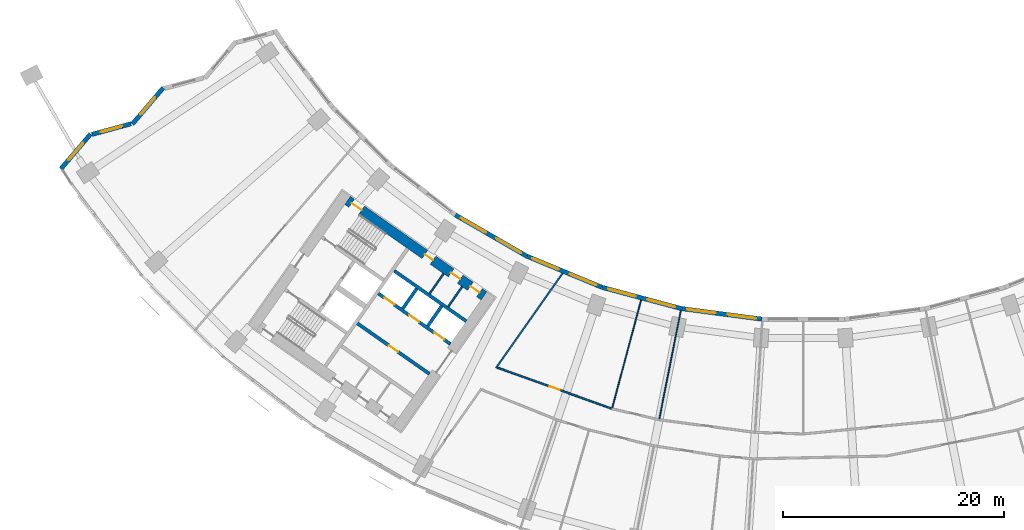
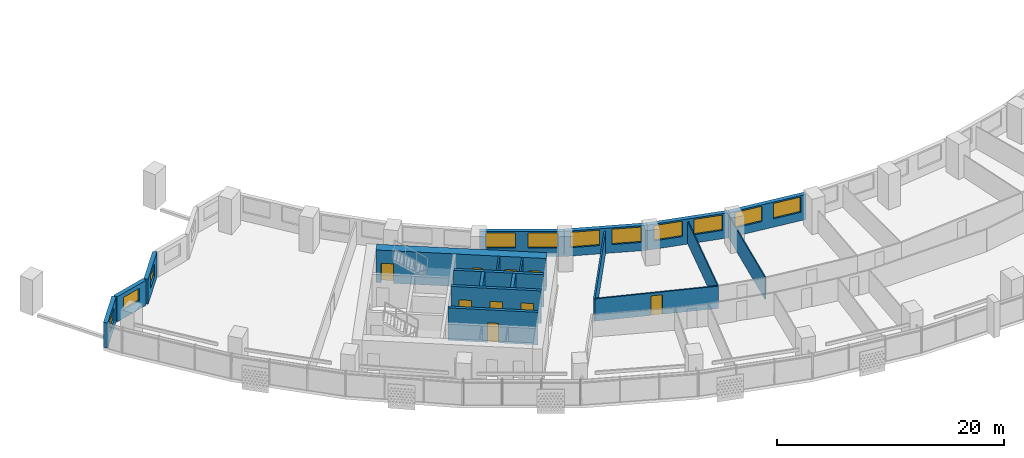
# One storey, part 4 of 29: 19 walls, 11 windows, 9 doors, 20 openings.
"""IFC4 building model written with IfcOpenShell, lengths in metres."""

import ifcopenshell
import ifcopenshell.guid

model = None  # the IFC model being written
_history = None  # IfcOwnerHistory: only IFC2X3 demands one
_inside = {}  # id of a spatial element -> (the spatial element, [elements in it])
_under = {}  # id of a project, library or spatial element -> (it, [spatial elements below it])
_declared = {}  # id of a project -> (the project, [libraries it declares])
_typed = {}  # id of a type object -> (the type object, [elements of that type])
_made_of = {}  # id of a material, layer set ... -> (it, [elements and type objects made of it])


def new_model(schema):
    """Start an empty IFC model of exactly this schema.

    Asked for "IFC4X3", IfcOpenShell would pick the latest addendum, in which some entities
    have other attributes; the version numbers below select the first issue.
    IFC2X3 requires an IfcOwnerHistory on every rooted entity: one is made here for all.
    """
    global model, _history
    if schema == "IFC4X3":
        model = ifcopenshell.file(schema_version=(4, 3, 0, 0))
    else:
        model = ifcopenshell.file(schema=schema)
    _inside.clear()
    _under.clear()
    _declared.clear()
    _typed.clear()
    _made_of.clear()
    _history = None
    if model.schema == "IFC2X3":
        org = make("IfcOrganization", Name="unknown")
        user = make(
            "IfcPersonAndOrganization",
            ThePerson=make("IfcPerson", FamilyName="unknown"),
            TheOrganization=org,
        )
        app = make(
            "IfcApplication",
            ApplicationDeveloper=org,
            Version="unknown",
            ApplicationFullName="unknown",
            ApplicationIdentifier="unknown",
        )
        _history = make(
            "IfcOwnerHistory",
            OwningUser=user,
            OwningApplication=app,
            ChangeAction="ADDED",
            CreationDate=0,
        )
    return model


def make(cls, **values):
    """One entity of the class cls with the attributes given. An attribute that is None is left unset."""
    return model.create_entity(
        cls, **{name: value for name, value in values.items() if value is not None}
    )


def rooted(cls, **values):
    """An entity with a GlobalId (a new one), such as an element, a storey or a relation."""
    return make(cls, GlobalId=ifcopenshell.guid.new(), OwnerHistory=_history, **values)


def si_unit(unit_type, name, prefix=None):
    """IfcSIUnit, for example si_unit("LENGTHUNIT", "METRE", prefix="MILLI")."""
    return make("IfcSIUnit", UnitType=unit_type, Prefix=prefix, Name=name)


def assignment(units):
    """IfcUnitAssignment: the units of a project."""
    return None if units is None else make("IfcUnitAssignment", Units=units)


def point(xyz):
    """IfcCartesianPoint."""
    return None if xyz is None else make("IfcCartesianPoint", Coordinates=xyz)


def direction(xyz):
    """IfcDirection."""
    return None if xyz is None else make("IfcDirection", DirectionRatios=xyz)


def frame(location, z_axis=None, x_axis=None):
    """IfcAxis2Placement3D, a coordinate frame: its origin and axes. An axis left out is left unset."""
    return make(
        "IfcAxis2Placement3D",
        Location=point(location),
        Axis=direction(z_axis),
        RefDirection=direction(x_axis),
    )


def frame_2d(location, x_axis=None):
    """IfcAxis2Placement2D, a coordinate frame in the plane: its origin and x axis."""
    return make(
        "IfcAxis2Placement2D", Location=point(location), RefDirection=direction(x_axis)
    )


def origin():
    """The frame at (0, 0, 0) with its axes left unset."""
    return frame((0.0, 0.0, 0.0))


def place(relative_to, where):
    """IfcLocalPlacement: puts the frame where relative to a parent placement (None: the world)."""
    return make(
        "IfcLocalPlacement", PlacementRelTo=relative_to, RelativePlacement=where
    )


def context(
    kind, dimensions, precision=None, world=None, true_north=None, identifier=None
):
    """IfcGeometricRepresentationContext, for example the 3D "Model" context."""
    return make(
        "IfcGeometricRepresentationContext",
        ContextIdentifier=identifier,
        ContextType=kind,
        CoordinateSpaceDimension=dimensions,
        Precision=precision,
        WorldCoordinateSystem=world,
        TrueNorth=true_north,
    )


def subcontext(parent, identifier, kind, view, scale=None):
    """IfcGeometricRepresentationSubContext, for example "Body" below "Model"."""
    return make(
        "IfcGeometricRepresentationSubContext",
        ContextIdentifier=identifier,
        ContextType=kind,
        ParentContext=parent,
        TargetScale=scale,
        TargetView=view,
    )


def project(units=None, contexts=None):
    """IfcProject with its units and contexts."""
    return rooted(
        "IfcProject",
        Name="project",
        RepresentationContexts=contexts,
        UnitsInContext=assignment(units),
    )


def spatial(cls, under=None, at=None, **own):
    """A site, building, storey or space (cls), placed at a placement, below another one or the project."""
    s = rooted(cls, ObjectPlacement=at, **own)
    if under is not None:
        _under.setdefault(under.id(), (under, []))[1].append(s)
    return s


def profile(cls, at=None, kind="AREA", **sizes):
    """A parametric profile (cls). Its sizes go by their IFC names, for example OverallWidth=200.0."""
    return make(cls, ProfileType=kind, Position=at, **sizes)


def rectangle(**sizes):
    """IfcRectangleProfileDef."""
    return profile("IfcRectangleProfileDef", **sizes)


def extrude(swept, where, along, depth):
    """IfcExtrudedAreaSolid: the profile swept, set in the frame where, extruded along a direction by depth."""
    return make(
        "IfcExtrudedAreaSolid",
        SweptArea=swept,
        Position=where,
        ExtrudedDirection=direction(along),
        Depth=depth,
    )


def shape(context_of_items, identifier, shape_type, items):
    """IfcShapeRepresentation: the items that make up one representation, for example the "Body"."""
    return make(
        "IfcShapeRepresentation",
        ContextOfItems=context_of_items,
        RepresentationIdentifier=identifier,
        RepresentationType=shape_type,
        Items=items,
    )


def material(Name=None, Category=None):
    """IfcMaterial."""
    return make("IfcMaterial", Name=Name, Category=Category)


def layer(
    of_material, thickness, ventilated=None, Name=None, Category=None, Priority=None
):
    """IfcMaterialLayer: one layer of a wall or slab, of a material (None: an air gap)."""
    return make(
        "IfcMaterialLayer",
        Material=of_material,
        LayerThickness=thickness,
        IsVentilated=ventilated,
        Name=Name,
        Category=Category,
        Priority=Priority,
    )


def layer_set(layers, Name=None):
    """IfcMaterialLayerSet."""
    return make("IfcMaterialLayerSet", MaterialLayers=layers, LayerSetName=Name)


def made_of(thing, what):
    """Note that an element or type object is made of a material, layer set ...; save() writes the relation."""
    if what is not None:
        _made_of.setdefault(what.id(), (what, []))[1].append(thing)
    return thing


def type_object(cls, material=None, **own):
    """A type object (cls), such as IfcWallType, which elements share."""
    return made_of(rooted(cls, **own), material)


def element(
    cls,
    number,
    at=None,
    inside=None,
    cuts=None,
    type_object=None,
    material=None,
    context=None,
    identifier="Body",
    shape_type=None,
    held_by="IfcProductDefinitionShape",
    body=None,
    shapes=None,
    **own,
):
    """One element of the class cls, such as IfcWall. Its Tag is "e" and its number.

    at: its placement. inside: the storey or other place that contains it. cuts: it is an
    opening in that element (IfcRelVoidsElement). A single representation is given by context,
    identifier, shape_type and body (its items); several are given by shapes. held_by: the class
    of the entity that holds the representations. save() writes the other relations.
    """
    e = rooted(cls, Tag="e%d" % number, ObjectPlacement=at, **own)
    if body is not None:
        shapes = [shape(context, identifier, shape_type, body)]
    if shapes is not None:
        e.Representation = make(held_by, Representations=shapes)
    if inside is not None:
        _inside.setdefault(inside.id(), (inside, []))[1].append(e)
    if cuts is not None:
        rooted(
            "IfcRelVoidsElement", RelatingBuildingElement=cuts, RelatedOpeningElement=e
        )
    if type_object is not None:
        _typed.setdefault(type_object.id(), (type_object, []))[1].append(e)
    return made_of(e, material)


def fill(opening, filler):
    """IfcRelFillsElement: the door or window that sits in an opening."""
    return rooted(
        "IfcRelFillsElement",
        RelatingOpeningElement=opening,
        RelatedBuildingElement=filler,
    )


def aggregate(whole, parts):
    """IfcRelAggregates: a whole, such as a stair, and the parts it consists of."""
    return rooted("IfcRelAggregates", RelatingObject=whole, RelatedObjects=parts)


def save(model, path):
    """Write the relations noted so far, then the file.

    IfcRelAggregates (storeys below a building ...), IfcRelContainedInSpatialStructure (elements
    in a storey), IfcRelDefinesByType, IfcRelAssociatesMaterial and IfcRelDeclares: one each for
    every whole, place, type object, material and project.
    """
    for whole, parts in _under.values():
        aggregate(whole, parts)
    for where, things in _inside.values():
        rooted(
            "IfcRelContainedInSpatialStructure",
            RelatedElements=things,
            RelatingStructure=where,
        )
    for kind, things in _typed.values():
        rooted("IfcRelDefinesByType", RelatedObjects=things, RelatingType=kind)
    for what, things in _made_of.values():
        rooted("IfcRelAssociatesMaterial", RelatedObjects=things, RelatingMaterial=what)
    for by, libraries in _declared.values():
        rooted("IfcRelDeclares", RelatingContext=by, RelatedDefinitions=libraries)
    model.write(path)


model = new_model("IFC4")

# Units and contexts
model_context = context("Model", 3, precision=1e-05, world=origin(), true_north=direction((0.0, 1.0)))
body_context = subcontext(model_context, "Body", "Model", "MODEL_VIEW")
ifc_project = project(units=[si_unit("LENGTHUNIT", "METRE"), si_unit("AREAUNIT", "SQUARE_METRE"), si_unit("VOLUMEUNIT", "CUBIC_METRE"), si_unit("PLANEANGLEUNIT", "RADIAN"), si_unit("MASSUNIT", "GRAM", prefix="KILO")], contexts=[model_context])

# Site, building, storey
site_placement = place(None, origin())
site = spatial("IfcSite", under=ifc_project, at=site_placement, CompositionType="ELEMENT")
building_placement = place(site_placement, origin())
building = spatial("IfcBuilding", under=site, at=building_placement, Name="Qamariyya Broadcast Tower", CompositionType="ELEMENT")
storey_placement = place(building_placement, frame((0.0, 0.0, 44.300048828125)))
storey = spatial("IfcBuildingStorey", under=building, at=storey_placement, Name="L07", CompositionType="ELEMENT", Elevation=44.300048828125)

# Wall, openings, doors
ifc_material_1 = material(Name="Concrete C70/85", Category="concrete")
ifc_layer_1 = layer(ifc_material_1, 0.89990234375)
ifc_layer_set_1 = layer_set([ifc_layer_1], Name="Core wall 900 mm Concrete C70/85")
wall_type_1 = type_object("IfcWallType", Name="Core wall 900 mm Concrete C70/85", PredefinedType="SHEAR", material=ifc_layer_set_1)
wall_1_placement = place(storey_placement, frame((-28.8544921875, -54.32421875, 0.0), z_axis=(0.0, 0.0, 1.0), x_axis=(-0.819145767589, 0.573585400304, 0.0)))
wall_1 = element("IfcWall", 1, at=wall_1_placement, inside=storey, type_object=wall_type_1, Name="k-W-L07-WI", PredefinedType="SHEAR", context=body_context, shape_type="SweptSolid", body=[
    extrude(rectangle(XDim=15.04541015625, YDim=0.89990234375, at=frame_2d((7.522705078125, 0.0))), origin(), (0.0, 0.0, 1.0), 3.5),
])
opening_1_placement = place(wall_1_placement, frame((0.5, 0.0, 0.0)))
opening_1 = element("IfcOpeningElement", 2, at=opening_1_placement, cuts=wall_1, Name="Opening KD6-W2", PredefinedType="OPENING", context=body_context, shape_type="SweptSolid", body=[
    extrude(rectangle(XDim=1.0, YDim=2.10009765625, at=frame_2d((0.5, 1.050048828125))), frame((0.0, 0.4599609375, 0.0), z_axis=(0.0, -1.0, 0.0), x_axis=(1.0, 0.0, 0.0)), (0.0, 0.0, 1.0), 0.919921875),
])
opening_2_placement = place(wall_1_placement, frame((2.625, 0.0, 0.0)))
opening_2 = element("IfcOpeningElement", 3, at=opening_2_placement, cuts=wall_1, Name="Opening KD7-W1", PredefinedType="OPENING", context=body_context, shape_type="SweptSolid", body=[
    extrude(rectangle(XDim=1.0, YDim=2.10009765625, at=frame_2d((0.5, 1.050048828125))), frame((0.0, 0.4599609375, 0.0), z_axis=(0.0, -1.0, 0.0), x_axis=(1.0, 0.0, 0.0)), (0.0, 0.0, 1.0), 0.919921875),
])
opening_3_placement = place(wall_1_placement, frame((5.625, 0.0, 0.0)))
opening_3 = element("IfcOpeningElement", 4, at=opening_3_placement, cuts=wall_1, Name="Opening KD5-W1", PredefinedType="OPENING", context=body_context, shape_type="SweptSolid", body=[
    extrude(rectangle(XDim=0.89990234375, YDim=2.10009765625, at=frame_2d((0.449951171875, 1.050048828125))), frame((0.0, 0.4599609375, 0.0), z_axis=(0.0, -1.0, 0.0), x_axis=(1.0, 0.0, 0.0)), (0.0, 0.0, 1.0), 0.919921875),
])
opening_4_placement = place(wall_1_placement, frame((13.495361328125, 0.0, 0.0)))
opening_4 = element("IfcOpeningElement", 5, at=opening_4_placement, cuts=wall_1, Name="Opening KD1-W1", PredefinedType="OPENING", context=body_context, shape_type="SweptSolid", body=[
    extrude(rectangle(XDim=1.10009765625, YDim=2.10009765625, at=frame_2d((0.550048828125, 1.050048828125))), frame((0.0, 0.4599609375, 0.0), z_axis=(0.0, -1.0, 0.0), x_axis=(1.0, 0.0, 0.0)), (0.0, 0.0, 1.0), 0.919921875),
])
ifc_material_2 = material(Name="Steel fire-resisting door leaf", Category="steel")
door_type_1 = type_object("IfcDoorType", Name="Accessible toilet door KD7", OperationType="SINGLE_SWING_LEFT", PredefinedType="DOOR", material=ifc_material_2)
door_1_placement = place(opening_2_placement, origin())
door_1 = element("IfcDoor", 6, at=door_1_placement, inside=storey, type_object=door_type_1, Name="k-W-L07-WI-D7", OperationType="SINGLE_SWING_RIGHT", OverallHeight=2.10009765625, OverallWidth=1.0, PredefinedType="DOOR", context=body_context, shape_type="SweptSolid", body=[
    extrude(rectangle(XDim=1.0, YDim=2.10009765625, at=frame_2d((0.5, 1.050048828125))), frame((0.0, 0.02490234375, 0.0), z_axis=(0.0, -1.0, 0.0), x_axis=(1.0, 0.0, 0.0)), (0.0, 0.0, 1.0), 0.050048828125),
])
fill(opening_2, door_1)
door_type_2 = type_object("IfcDoorType", Name="Core room door KD6", OperationType="SINGLE_SWING_LEFT", PredefinedType="DOOR", material=ifc_material_2)
door_2_placement = place(opening_1_placement, origin())
door_2 = element("IfcDoor", 7, at=door_2_placement, inside=storey, type_object=door_type_2, Name="k-W-L07-WI-D6", OperationType="SINGLE_SWING_LEFT", OverallHeight=2.10009765625, OverallWidth=1.0, PredefinedType="DOOR", context=body_context, shape_type="SweptSolid", body=[
    extrude(rectangle(XDim=1.0, YDim=2.10009765625, at=frame_2d((0.5, 1.050048828125))), frame((0.0, 0.02490234375, 0.0), z_axis=(0.0, -1.0, 0.0), x_axis=(1.0, 0.0, 0.0)), (0.0, 0.0, 1.0), 0.050048828125),
])
fill(opening_1, door_2)
door_type_3 = type_object("IfcDoorType", Name="Stair door KD1", OperationType="SINGLE_SWING_LEFT", PredefinedType="DOOR", material=ifc_material_2)
door_3_placement = place(opening_4_placement, origin())
door_3 = element("IfcDoor", 8, at=door_3_placement, inside=storey, type_object=door_type_3, Name="k-W-L07-WI-D15", OperationType="SINGLE_SWING_RIGHT", OverallHeight=2.10009765625, OverallWidth=1.10009765625, PredefinedType="DOOR", context=body_context, shape_type="SweptSolid", body=[
    extrude(rectangle(XDim=1.10009765625, YDim=2.10009765625, at=frame_2d((0.550048828125, 1.050048828125))), frame((0.0, 0.02490234375, 0.0), z_axis=(0.0, -1.0, 0.0), x_axis=(1.0, 0.0, 0.0)), (0.0, 0.0, 1.0), 0.050048828125),
])
fill(opening_4, door_3)
door_type_4 = type_object("IfcDoorType", Name="Toilet door KD5", OperationType="SINGLE_SWING_LEFT", PredefinedType="DOOR", material=ifc_material_2)
door_4_placement = place(opening_3_placement, origin())
door_4 = element("IfcDoor", 9, at=door_4_placement, inside=storey, type_object=door_type_4, Name="k-W-L07-WI-D8", OperationType="SINGLE_SWING_LEFT", OverallHeight=2.10009765625, OverallWidth=0.89990234375, PredefinedType="DOOR", context=body_context, shape_type="SweptSolid", body=[
    extrude(rectangle(XDim=0.89990234375, YDim=2.10009765625, at=frame_2d((0.449951171875, 1.050048828125))), frame((0.0, 0.02490234375, 0.0), z_axis=(0.0, -1.0, 0.0), x_axis=(1.0, 0.0, 0.0)), (0.0, 0.0, 1.0), 0.050048828125),
])
fill(opening_3, door_4)

# Wall, opening, door
ifc_material_3 = material(Name="Gypsum board partition")
ifc_layer_2 = layer(ifc_material_3, 0.14990234375)
ifc_layer_set_2 = layer_set([ifc_layer_2], Name="Corridor partition 150 EI 60")
wall_type_2 = type_object("IfcWallType", Name="Corridor partition 150 EI 60", PredefinedType="PARTITIONING", material=ifc_layer_set_2)
wall_2_placement = place(storey_placement, frame((-27.65625, -60.79931640625, 0.0), z_axis=(0.0, 0.0, 1.0), x_axis=(0.941106453562, -0.338110400705, 0.0)))
wall_2 = element("IfcWall", 10, at=wall_2_placement, inside=storey, type_object=wall_type_2, Name="Partition L07-004", PredefinedType="PARTITIONING", context=body_context, shape_type="SweptSolid", body=[
    extrude(rectangle(XDim=11.015869140625, YDim=0.14990234375, at=frame_2d((5.5078125, 0.0))), origin(), (0.0, 0.0, 1.0), 2.39990234375),
])
opening_5_placement = place(wall_2_placement, frame((5.008056640625, 0.0, 0.0)))
opening_5 = element("IfcOpeningElement", 11, at=opening_5_placement, cuts=wall_2, Name="Opening L07-D08", PredefinedType="OPENING", context=body_context, shape_type="SweptSolid", body=[
    extrude(rectangle(XDim=1.0, YDim=2.10009765625, at=frame_2d((0.5, 1.050048828125))), frame((0.0, 0.0849609375, 0.0), z_axis=(0.0, -1.0, 0.0), x_axis=(1.0, 0.0, 0.0)), (0.0, 0.0, 1.0), 0.169921875),
])
ifc_material_4 = material(Name="Timber fire door leaf", Category="wood")
door_type_5 = type_object("IfcDoorType", Name="Fire door 1000 x 2100 FD60", OperationType="NOTDEFINED", PredefinedType="DOOR", material=ifc_material_4)
door_5_placement = place(opening_5_placement, origin())
door_5 = element("IfcDoor", 12, at=door_5_placement, inside=storey, type_object=door_type_5, Name="Door L07-D08", OperationType="SINGLE_SWING_RIGHT", OverallHeight=2.10009765625, OverallWidth=1.0, PredefinedType="DOOR", context=body_context, shape_type="SweptSolid", body=[
    extrude(rectangle(XDim=1.0, YDim=2.10009765625, at=frame_2d((0.5, 1.050048828125))), frame((0.0, 0.02490234375, 0.0), z_axis=(0.0, -1.0, 0.0), x_axis=(1.0, 0.0, 0.0)), (0.0, 0.0, 1.0), 0.050048828125),
])
fill(opening_5, door_5)

# Walls
wall_3_placement = place(storey_placement, frame((-21.748291015625, -52.2763671875, 0.0), z_axis=(0.0, 0.0, 1.0), x_axis=(-0.575419434668, -0.817858468322, 0.0)))
element("IfcWall", 13, at=wall_3_placement, inside=storey, type_object=wall_type_2, Name="Partition L07-008", PredefinedType="PARTITIONING", context=body_context, shape_type="SweptSolid", body=[
    extrude(rectangle(XDim=10.46484375, YDim=0.14990234375, at=frame_2d((5.232421875, 0.0))), origin(), (0.0, 0.0, 1.0), 2.39990234375),
])
ifc_material_5 = material(Name="Gypsum board partition on steel studs", Category="steel")
ifc_layer_3 = layer(ifc_material_5, 0.14990234375)
ifc_layer_set_3 = layer_set([ifc_layer_3], Name="Gypsum board partition 150 mm")
wall_type_3 = type_object("IfcWallType", Name="Gypsum board partition 150 mm", PredefinedType="PARTITIONING", material=ifc_layer_set_3)
wall_4_placement = place(storey_placement, frame((-32.0947265625, -55.290283203125, 0.0), z_axis=(0.0, 0.0, 1.0), x_axis=(0.573559170999, 0.819164133348, 0.0)))
element("IfcWall", 14, at=wall_4_placement, inside=storey, type_object=wall_type_3, Name="k-W-L07-NP210", PredefinedType="PARTITIONING", context=body_context, shape_type="SweptSolid", body=[
    extrude(rectangle(XDim=2.19970703125, YDim=0.14990234375, at=frame_2d((1.099853515625, 0.0))), origin(), (0.0, 0.0, 1.0), 3.5),
])
wall_5_placement = place(storey_placement, frame((-33.774169921875, -54.114501953125, 0.0), z_axis=(0.0, 0.0, 1.0), x_axis=(0.573581496053, 0.819148501424, 0.0)))
element("IfcWall", 15, at=wall_5_placement, inside=storey, type_object=wall_type_3, Name="k-W-L07-NP415", PredefinedType="PARTITIONING", context=body_context, shape_type="SweptSolid", body=[
    extrude(rectangle(XDim=2.2001953125, YDim=0.14990234375, at=frame_2d((1.10009765625, 0.0))), origin(), (0.0, 0.0, 1.0), 3.5),
])

# Wall, openings, doors
ifc_material_6 = material(Name="Concrete C60/75", Category="concrete")
ifc_layer_4 = layer(ifc_material_6, 0.300048828125)
ifc_layer_set_4 = layer_set([ifc_layer_4], Name="Lift shaft wall 300 mm Concrete C60/75")
wall_type_4 = type_object("IfcWallType", Name="Lift shaft wall 300 mm Concrete C60/75", PredefinedType="SOLIDWALL", material=ifc_layer_set_4)
wall_6_placement = place(storey_placement, frame((-31.89453125, -58.66552734375, 0.0), z_axis=(0.0, 0.0, 1.0), x_axis=(-0.819166993208, 0.573555086491, 0.0)))
wall_6 = element("IfcWall", 16, at=wall_6_placement, inside=storey, type_object=wall_type_4, Name="k-W-L07-NF0", PredefinedType="SOLIDWALL", context=body_context, shape_type="SweptSolid", body=[
    extrude(rectangle(XDim=7.9501953125, YDim=0.300048828125, at=frame_2d((3.97509765625, 0.0))), origin(), (0.0, 0.0, 1.0), 3.5),
])
opening_6_placement = place(wall_6_placement, frame((0.675048828125, 0.0, 0.0)))
opening_6 = element("IfcOpeningElement", 17, at=opening_6_placement, cuts=wall_6, Name="Opening LD", PredefinedType="OPENING", context=body_context, shape_type="SweptSolid", body=[
    extrude(rectangle(XDim=1.10009765625, YDim=2.10009765625, at=frame_2d((0.550048828125, 1.050048828125))), frame((0.0, 0.159912109375, 0.0), z_axis=(0.0, -1.0, 0.0), x_axis=(1.0, 0.0, 0.0)), (0.0, 0.0, 1.0), 0.320068359375),
])
opening_7_placement = place(wall_6_placement, frame((3.425048828125, 0.0, 0.0)))
opening_7 = element("IfcOpeningElement", 18, at=opening_7_placement, cuts=wall_6, Name="Opening LD", PredefinedType="OPENING", context=body_context, shape_type="SweptSolid", body=[
    extrude(rectangle(XDim=1.10009765625, YDim=2.10009765625, at=frame_2d((0.550048828125, 1.050048828125))), frame((0.0, 0.159912109375, 0.0), z_axis=(0.0, -1.0, 0.0), x_axis=(1.0, 0.0, 0.0)), (0.0, 0.0, 1.0), 0.320068359375),
])
opening_8_placement = place(wall_6_placement, frame((6.175048828125, 0.0, 0.0)))
opening_8 = element("IfcOpeningElement", 19, at=opening_8_placement, cuts=wall_6, Name="Opening LD", PredefinedType="OPENING", context=body_context, shape_type="SweptSolid", body=[
    extrude(rectangle(XDim=1.10009765625, YDim=2.10009765625, at=frame_2d((0.550048828125, 1.050048828125))), frame((0.0, 0.159912109375, 0.0), z_axis=(0.0, -1.0, 0.0), x_axis=(1.0, 0.0, 0.0)), (0.0, 0.0, 1.0), 0.320068359375),
])
door_type_6 = type_object("IfcDoorType", Name="Lift landing door LD", OperationType="DOUBLE_DOOR_SLIDING", PredefinedType="DOOR", material=ifc_material_2)
door_6_placement = place(opening_6_placement, origin())
door_6 = element("IfcDoor", 20, at=door_6_placement, inside=storey, type_object=door_type_6, Name="k-W-L07-NF0-D2", OperationType="DOUBLE_DOOR_SLIDING", OverallHeight=2.10009765625, OverallWidth=1.10009765625, PredefinedType="DOOR", context=body_context, shape_type="SweptSolid", body=[
    extrude(rectangle(XDim=1.10009765625, YDim=2.10009765625, at=frame_2d((0.550048828125, 1.050048828125))), frame((0.0, 0.02490234375, 0.0), z_axis=(0.0, -1.0, 0.0), x_axis=(1.0, 0.0, 0.0)), (0.0, 0.0, 1.0), 0.050048828125),
])
fill(opening_6, door_6)
door_7_placement = place(opening_7_placement, origin())
door_7 = element("IfcDoor", 21, at=door_7_placement, inside=storey, type_object=door_type_6, Name="k-W-L07-NF0-D3", OperationType="DOUBLE_DOOR_SLIDING", OverallHeight=2.10009765625, OverallWidth=1.10009765625, PredefinedType="DOOR", context=body_context, shape_type="SweptSolid", body=[
    extrude(rectangle(XDim=1.10009765625, YDim=2.10009765625, at=frame_2d((0.550048828125, 1.050048828125))), frame((0.0, 0.02490234375, 0.0), z_axis=(0.0, -1.0, 0.0), x_axis=(1.0, 0.0, 0.0)), (0.0, 0.0, 1.0), 0.050048828125),
])
fill(opening_7, door_7)
door_8_placement = place(opening_8_placement, origin())
door_8 = element("IfcDoor", 22, at=door_8_placement, inside=storey, type_object=door_type_6, Name="k-W-L07-NF0-D4", OperationType="DOUBLE_DOOR_SLIDING", OverallHeight=2.10009765625, OverallWidth=1.10009765625, PredefinedType="DOOR", context=body_context, shape_type="SweptSolid", body=[
    extrude(rectangle(XDim=1.10009765625, YDim=2.10009765625, at=frame_2d((0.550048828125, 1.050048828125))), frame((0.0, 0.02490234375, 0.0), z_axis=(0.0, -1.0, 0.0), x_axis=(1.0, 0.0, 0.0)), (0.0, 0.0, 1.0), 0.050048828125),
])
fill(opening_8, door_8)

# Walls
wall_7_placement = place(storey_placement, frame((-30.460693359375, -56.61767578125, 0.0), z_axis=(0.0, 0.0, 1.0), x_axis=(-0.819142461705, 0.573590121456, 0.0)))
element("IfcWall", 23, at=wall_7_placement, inside=storey, type_object=wall_type_4, Name="k-W-L07-NB0", PredefinedType="SOLIDWALL", context=body_context, shape_type="SweptSolid", body=[
    extrude(rectangle(XDim=7.949951171875, YDim=0.300048828125, at=frame_2d((3.97509765625, 0.0))), origin(), (0.0, 0.0, 1.0), 3.5),
])
wall_8_placement = place(storey_placement, frame((-33.9384765625, -57.051513671875, 0.0), z_axis=(0.0, 0.0, 1.0), x_axis=(0.573581496053, 0.819148501424, 0.0)))
element("IfcWall", 24, at=wall_8_placement, inside=storey, type_object=wall_type_4, Name="k-W-L07-ND0", PredefinedType="SOLIDWALL", context=body_context, shape_type="SweptSolid", body=[
    extrude(rectangle(XDim=2.2001953125, YDim=0.300048828125, at=frame_2d((1.10009765625, 0.0))), origin(), (0.0, 0.0, 1.0), 3.5),
])
wall_9_placement = place(storey_placement, frame((-36.19091796875, -55.47412109375, 0.0), z_axis=(0.0, 0.0, 1.0), x_axis=(0.573507030513, 0.819200638399, 0.0)))
element("IfcWall", 25, at=wall_9_placement, inside=storey, type_object=wall_type_4, Name="k-W-L07-ND1", PredefinedType="SOLIDWALL", context=body_context, shape_type="SweptSolid", body=[
    extrude(rectangle(XDim=2.199951171875, YDim=0.300048828125, at=frame_2d((1.10009765625, 0.0))), origin(), (0.0, 0.0, 1.0), 3.5),
])

# Wall, opening, door
wall_10_placement = place(storey_placement, frame((-33.787353515625, -61.368896484375, 0.0), z_axis=(0.0, 0.0, 1.0), x_axis=(-0.819152564888, 0.573575692858, 0.0)))
wall_10 = element("IfcWall", 26, at=wall_10_placement, inside=storey, type_object=wall_type_4, Name="k-W-L07-SF0", PredefinedType="SOLIDWALL", context=body_context, shape_type="SweptSolid", body=[
    extrude(rectangle(XDim=7.9501953125, YDim=0.300048828125, at=frame_2d((3.97509765625, 0.0))), origin(), (0.0, 0.0, 1.0), 3.5),
])
opening_9_placement = place(wall_10_placement, frame((3.47509765625, 0.0, 0.0)))
opening_9 = element("IfcOpeningElement", 27, at=opening_9_placement, cuts=wall_10, Name="Opening KD6-W1", PredefinedType="OPENING", context=body_context, shape_type="SweptSolid", body=[
    extrude(rectangle(XDim=1.0, YDim=2.10009765625, at=frame_2d((0.5, 1.050048828125))), frame((0.0, 0.159912109375, 0.0), z_axis=(0.0, -1.0, 0.0), x_axis=(1.0, 0.0, 0.0)), (0.0, 0.0, 1.0), 0.320068359375),
])
door_9_placement = place(opening_9_placement, origin())
door_9 = element("IfcDoor", 28, at=door_9_placement, inside=storey, type_object=door_type_2, Name="k-W-L07-SF0-D5", OperationType="SINGLE_SWING_RIGHT", OverallHeight=2.10009765625, OverallWidth=1.0, PredefinedType="DOOR", context=body_context, shape_type="SweptSolid", body=[
    extrude(rectangle(XDim=1.0, YDim=2.10009765625, at=frame_2d((0.5, 1.050048828125))), frame((0.0, 0.02490234375, 0.0), z_axis=(0.0, -1.0, 0.0), x_axis=(1.0, 0.0, 0.0)), (0.0, 0.0, 1.0), 0.050048828125),
])
fill(opening_9, door_9)

# Walls
ifc_layer_5 = layer(ifc_material_3, 0.10009765625)
ifc_layer_set_5 = layer_set([ifc_layer_5], Name="Partition 100")
wall_type_5 = type_object("IfcWallType", Name="Partition 100", PredefinedType="PARTITIONING", material=ifc_layer_set_5)
wall_11_placement = place(storey_placement, frame((-14.65673828125, -54.69970703125, 0.0), z_axis=(0.0, 0.0, 1.0), x_axis=(-0.258825935876, -0.965923979885, 0.0)))
element("IfcWall", 29, at=wall_11_placement, inside=storey, type_object=wall_type_5, Name="Partition L07-012", PredefinedType="PARTITIONING", context=body_context, shape_type="SweptSolid", body=[
    extrude(rectangle(XDim=10.095703125, YDim=0.10009765625, at=frame_2d((5.0478515625, 0.0))), origin(), (0.0, 0.0, 1.0), 2.39990234375),
])
wall_12_placement = place(storey_placement, frame((-11.0712890625, -55.65966796875, 0.0), z_axis=(0.0, 0.0, 1.0), x_axis=(-0.195094645032, -0.980784420492, 0.0)))
element("IfcWall", 30, at=wall_12_placement, inside=storey, type_object=wall_type_5, Name="Partition L07-015", PredefinedType="PARTITIONING", context=body_context, shape_type="SweptSolid", body=[
    extrude(rectangle(XDim=9.974853515625, YDim=0.10009765625, at=frame_2d((4.9873046875, 0.0))), origin(), (0.0, 0.0, 1.0), 2.39990234375),
])

# Wall, opening, window
ifc_material_7 = material(Name="Terracotta", Category="masonry")
ifc_layer_6 = layer(ifc_material_7, 0.39990234375)
ifc_layer_set_6 = layer_set([ifc_layer_6], Name="Terracotta clad wall 400")
wall_type_6 = type_object("IfcWallType", Name="Terracotta clad wall 400", PredefinedType="SOLIDWALL", material=ifc_layer_set_6)
wall_13_placement = place(storey_placement, frame((-57.850341796875, -35.534423828125, 0.0), z_axis=(0.0, 0.0, 1.0), x_axis=(-0.648766559736, -0.760987484107, 0.0)))
wall_13 = element("IfcWall", 31, at=wall_13_placement, inside=storey, type_object=wall_type_6, Name="e-wl-L07-capW3", PredefinedType="SOLIDWALL", context=body_context, shape_type="SweptSolid", body=[
    extrude(rectangle(XDim=4.29443359375, YDim=0.39990234375, at=frame_2d((2.147216796875, 0.0))), origin(), (0.0, 0.0, 1.0), 2.699951171875),
])
opening_10_placement = place(wall_13_placement, frame((1.147216796875, 0.0, 0.89990234375)))
opening_10 = element("IfcOpeningElement", 32, at=opening_10_placement, cuts=wall_13, Name="Opening W4", PredefinedType="OPENING", context=body_context, shape_type="SweptSolid", body=[
    extrude(rectangle(XDim=2.0, YDim=1.35009765625, at=frame_2d((1.0, 0.675048828125))), frame((0.0, 0.2099609375, 0.0), z_axis=(0.0, -1.0, 0.0), x_axis=(1.0, 0.0, 0.0)), (0.0, 0.0, 1.0), 0.419921875),
])
ifc_material_8 = material(Name="Clear low-e double glazed unit in aluminium frame", Category="aluminium")
window_type_1 = type_object("IfcWindowType", Name="Horn bay window 2000 x 1350", PartitioningType="SINGLE_PANEL", PredefinedType="WINDOW", material=ifc_material_8)
window_1_placement = place(opening_10_placement, origin())
window_1 = element("IfcWindow", 33, at=window_1_placement, inside=storey, type_object=window_type_1, Name="e-w-L07-capW3", OverallHeight=1.35009765625, OverallWidth=2.0, PartitioningType="SINGLE_PANEL", PredefinedType="WINDOW", context=body_context, shape_type="SweptSolid", body=[
    extrude(rectangle(XDim=2.0, YDim=1.35009765625, at=frame_2d((1.0, 0.675048828125))), frame((0.0, 0.030029296875, 0.0), z_axis=(0.0, -1.0, 0.0), x_axis=(1.0, 0.0, 0.0)), (0.0, 0.0, 1.0), 0.06005859375),
])
fill(opening_10, window_1)

wall_14_placement = place(storey_placement, frame((-60.76123046875, -38.772216796875, 0.0), z_axis=(0.0, 0.0, 1.0), x_axis=(-0.96497196799, -0.262353008355, 0.0)))
wall_14 = element("IfcWall", 34, at=wall_14_placement, inside=storey, type_object=wall_type_6, Name="e-wl-L07-capW4", PredefinedType="SOLIDWALL", context=body_context, shape_type="SweptSolid", body=[
    extrude(rectangle(XDim=3.64892578125, YDim=0.39990234375, at=frame_2d((1.824462890625, 0.0))), origin(), (0.0, 0.0, 1.0), 2.699951171875),
])
opening_11_placement = place(wall_14_placement, frame((0.824462890625, 0.0, 0.89990234375)))
opening_11 = element("IfcOpeningElement", 35, at=opening_11_placement, cuts=wall_14, Name="Opening W4", PredefinedType="OPENING", context=body_context, shape_type="SweptSolid", body=[
    extrude(rectangle(XDim=2.0, YDim=1.35009765625, at=frame_2d((1.0, 0.675048828125))), frame((0.0, 0.2099609375, 0.0), z_axis=(0.0, -1.0, 0.0), x_axis=(1.0, 0.0, 0.0)), (0.0, 0.0, 1.0), 0.419921875),
])
window_2_placement = place(opening_11_placement, origin())
window_2 = element("IfcWindow", 36, at=window_2_placement, inside=storey, type_object=window_type_1, Name="e-w-L07-capW4", OverallHeight=1.35009765625, OverallWidth=2.0, PartitioningType="SINGLE_PANEL", PredefinedType="WINDOW", context=body_context, shape_type="SweptSolid", body=[
    extrude(rectangle(XDim=2.0, YDim=1.35009765625, at=frame_2d((1.0, 0.675048828125))), frame((0.0, 0.030029296875, 0.0), z_axis=(0.0, -1.0, 0.0), x_axis=(1.0, 0.0, 0.0)), (0.0, 0.0, 1.0), 0.06005859375),
])
fill(opening_11, window_2)

wall_15_placement = place(storey_placement, frame((-64.406982421875, -39.69921875, 0.0), z_axis=(0.0, 0.0, 1.0), x_axis=(-0.648720679067, -0.76102659648, 0.0)))
wall_15 = element("IfcWall", 37, at=wall_15_placement, inside=storey, type_object=wall_type_6, Name="e-wl-L07-capW5", PredefinedType="SOLIDWALL", context=body_context, shape_type="SweptSolid", body=[
    extrude(rectangle(XDim=4.12158203125, YDim=0.39990234375, at=frame_2d((2.060791015625, 0.0))), origin(), (0.0, 0.0, 1.0), 2.699951171875),
])
opening_12_placement = place(wall_15_placement, frame((1.060791015625, 0.0, 0.89990234375)))
opening_12 = element("IfcOpeningElement", 38, at=opening_12_placement, cuts=wall_15, Name="Opening W4", PredefinedType="OPENING", context=body_context, shape_type="SweptSolid", body=[
    extrude(rectangle(XDim=2.0, YDim=1.35009765625, at=frame_2d((1.0, 0.675048828125))), frame((0.0, 0.2099609375, 0.0), z_axis=(0.0, -1.0, 0.0), x_axis=(1.0, 0.0, 0.0)), (0.0, 0.0, 1.0), 0.419921875),
])
window_3_placement = place(opening_12_placement, origin())
window_3 = element("IfcWindow", 39, at=window_3_placement, inside=storey, type_object=window_type_1, Name="e-w-L07-capW5", OverallHeight=1.35009765625, OverallWidth=2.0, PartitioningType="SINGLE_PANEL", PredefinedType="WINDOW", context=body_context, shape_type="SweptSolid", body=[
    extrude(rectangle(XDim=2.0, YDim=1.35009765625, at=frame_2d((1.0, 0.675048828125))), frame((0.0, 0.030029296875, 0.0), z_axis=(0.0, -1.0, 0.0), x_axis=(1.0, 0.0, 0.0)), (0.0, 0.0, 1.0), 0.06005859375),
])
fill(opening_12, window_3)

# Wall, openings, windows
wall_16_placement = place(storey_placement, frame((-24.989990234375, -50.73095703125, 0.0), z_axis=(0.0, 0.0, 1.0), x_axis=(-0.866037641005, 0.499978803913, 0.0)))
wall_16 = element("IfcWall", 40, at=wall_16_placement, inside=storey, type_object=wall_type_6, Name="e-wl-L07-in40", PredefinedType="SOLIDWALL", context=body_context, shape_type="SweptSolid", body=[
    extrude(rectangle(XDim=7.447021484375, YDim=0.39990234375, at=frame_2d((3.7236328125, 0.0))), origin(), (0.0, 0.0, 1.0), 2.699951171875),
])
opening_13_placement = place(wall_16_placement, frame((4.266357421875, 0.0, 0.89990234375)))
opening_13 = element("IfcOpeningElement", 41, at=opening_13_placement, cuts=wall_16, Name="Opening W1", PredefinedType="OPENING", context=body_context, shape_type="SweptSolid", body=[
    extrude(rectangle(XDim=2.60009765625, YDim=1.64990234375, at=frame_2d((1.300048828125, 0.824951171875))), frame((0.0, 0.2099609375, 0.0), z_axis=(0.0, -1.0, 0.0), x_axis=(1.0, 0.0, 0.0)), (0.0, 0.0, 1.0), 0.419921875),
])
opening_14_placement = place(wall_16_placement, frame((0.580810546875, 0.0, 0.89990234375)))
opening_14 = element("IfcOpeningElement", 42, at=opening_14_placement, cuts=wall_16, Name="Opening W1", PredefinedType="OPENING", context=body_context, shape_type="SweptSolid", body=[
    extrude(rectangle(XDim=2.60009765625, YDim=1.64990234375, at=frame_2d((1.300048828125, 0.824951171875))), frame((0.0, 0.2099609375, 0.0), z_axis=(0.0, -1.0, 0.0), x_axis=(1.0, 0.0, 0.0)), (0.0, 0.0, 1.0), 0.419921875),
])
window_type_2 = type_object("IfcWindowType", Name="Ribbon window 2600 x 1650", PartitioningType="SINGLE_PANEL", PredefinedType="WINDOW", material=ifc_material_8)
window_4_placement = place(opening_13_placement, origin())
window_4 = element("IfcWindow", 43, at=window_4_placement, inside=storey, type_object=window_type_2, Name="e-w-L07-in04-0", OverallHeight=1.64990234375, OverallWidth=2.60009765625, PartitioningType="SINGLE_PANEL", PredefinedType="WINDOW", context=body_context, shape_type="SweptSolid", body=[
    extrude(rectangle(XDim=2.60009765625, YDim=1.64990234375, at=frame_2d((1.300048828125, 0.824951171875))), frame((0.0, 0.030029296875, 0.0), z_axis=(0.0, -1.0, 0.0), x_axis=(1.0, 0.0, 0.0)), (0.0, 0.0, 1.0), 0.06005859375),
])
fill(opening_13, window_4)
window_5_placement = place(opening_14_placement, origin())
window_5 = element("IfcWindow", 44, at=window_5_placement, inside=storey, type_object=window_type_2, Name="e-w-L07-in04-1", OverallHeight=1.64990234375, OverallWidth=2.60009765625, PartitioningType="SINGLE_PANEL", PredefinedType="WINDOW", context=body_context, shape_type="SweptSolid", body=[
    extrude(rectangle(XDim=2.60009765625, YDim=1.64990234375, at=frame_2d((1.300048828125, 0.824951171875))), frame((0.0, 0.030029296875, 0.0), z_axis=(0.0, -1.0, 0.0), x_axis=(1.0, 0.0, 0.0)), (0.0, 0.0, 1.0), 0.06005859375),
])
fill(opening_14, window_5)

wall_17_placement = place(storey_placement, frame((-18.224365234375, -53.52978515625, 0.0), z_axis=(0.0, 0.0, 1.0), x_axis=(-0.923891626322, 0.382654234018, 0.0)))
wall_17 = element("IfcWall", 45, at=wall_17_placement, inside=storey, type_object=wall_type_6, Name="e-wl-L07-in50", PredefinedType="SOLIDWALL", context=body_context, shape_type="SweptSolid", body=[
    extrude(rectangle(XDim=7.295654296875, YDim=0.39990234375, at=frame_2d((3.64794921875, 0.0))), origin(), (0.0, 0.0, 1.0), 2.699951171875),
])
opening_15_placement = place(wall_17_placement, frame((4.190673828125, 0.0, 0.89990234375)))
opening_15 = element("IfcOpeningElement", 46, at=opening_15_placement, cuts=wall_17, Name="Opening W1", PredefinedType="OPENING", context=body_context, shape_type="SweptSolid", body=[
    extrude(rectangle(XDim=2.60009765625, YDim=1.64990234375, at=frame_2d((1.300048828125, 0.824951171875))), frame((0.0, 0.2099609375, 0.0), z_axis=(0.0, -1.0, 0.0), x_axis=(1.0, 0.0, 0.0)), (0.0, 0.0, 1.0), 0.419921875),
])
opening_16_placement = place(wall_17_placement, frame((0.505126953125, 0.0, 0.89990234375)))
opening_16 = element("IfcOpeningElement", 47, at=opening_16_placement, cuts=wall_17, Name="Opening W1", PredefinedType="OPENING", context=body_context, shape_type="SweptSolid", body=[
    extrude(rectangle(XDim=2.60009765625, YDim=1.64990234375, at=frame_2d((1.300048828125, 0.824951171875))), frame((0.0, 0.2099609375, 0.0), z_axis=(0.0, -1.0, 0.0), x_axis=(1.0, 0.0, 0.0)), (0.0, 0.0, 1.0), 0.419921875),
])
window_6_placement = place(opening_15_placement, origin())
window_6 = element("IfcWindow", 48, at=window_6_placement, inside=storey, type_object=window_type_2, Name="e-w-L07-in05-0", OverallHeight=1.64990234375, OverallWidth=2.60009765625, PartitioningType="SINGLE_PANEL", PredefinedType="WINDOW", context=body_context, shape_type="SweptSolid", body=[
    extrude(rectangle(XDim=2.60009765625, YDim=1.64990234375, at=frame_2d((1.300048828125, 0.824951171875))), frame((0.0, 0.030029296875, 0.0), z_axis=(0.0, -1.0, 0.0), x_axis=(1.0, 0.0, 0.0)), (0.0, 0.0, 1.0), 0.06005859375),
])
fill(opening_15, window_6)
window_7_placement = place(opening_16_placement, origin())
window_7 = element("IfcWindow", 49, at=window_7_placement, inside=storey, type_object=window_type_2, Name="e-w-L07-in05-1", OverallHeight=1.64990234375, OverallWidth=2.60009765625, PartitioningType="SINGLE_PANEL", PredefinedType="WINDOW", context=body_context, shape_type="SweptSolid", body=[
    extrude(rectangle(XDim=2.60009765625, YDim=1.64990234375, at=frame_2d((1.300048828125, 0.824951171875))), frame((0.0, 0.030029296875, 0.0), z_axis=(0.0, -1.0, 0.0), x_axis=(1.0, 0.0, 0.0)), (0.0, 0.0, 1.0), 0.06005859375),
])
fill(opening_16, window_7)

wall_18_placement = place(storey_placement, frame((-11.00830078125, -55.47021484375, 0.0), z_axis=(0.0, 0.0, 1.0), x_axis=(-0.965924637935, 0.25882348006, 0.0)))
wall_18 = element("IfcWall", 50, at=wall_18_placement, inside=storey, type_object=wall_type_6, Name="e-wl-L07-in60", PredefinedType="SOLIDWALL", context=body_context, shape_type="SweptSolid", body=[
    extrude(rectangle(XDim=7.447021484375, YDim=0.39990234375, at=frame_2d((3.7236328125, 0.0))), origin(), (0.0, 0.0, 1.0), 2.699951171875),
])
opening_17_placement = place(wall_18_placement, frame((4.266357421875, 0.0, 0.89990234375)))
opening_17 = element("IfcOpeningElement", 51, at=opening_17_placement, cuts=wall_18, Name="Opening W1", PredefinedType="OPENING", context=body_context, shape_type="SweptSolid", body=[
    extrude(rectangle(XDim=2.60009765625, YDim=1.64990234375, at=frame_2d((1.300048828125, 0.824951171875))), frame((0.0, 0.2099609375, 0.0), z_axis=(0.0, -1.0, 0.0), x_axis=(1.0, 0.0, 0.0)), (0.0, 0.0, 1.0), 0.419921875),
])
opening_18_placement = place(wall_18_placement, frame((0.580810546875, 0.0, 0.89990234375)))
opening_18 = element("IfcOpeningElement", 52, at=opening_18_placement, cuts=wall_18, Name="Opening W1", PredefinedType="OPENING", context=body_context, shape_type="SweptSolid", body=[
    extrude(rectangle(XDim=2.60009765625, YDim=1.64990234375, at=frame_2d((1.300048828125, 0.824951171875))), frame((0.0, 0.2099609375, 0.0), z_axis=(0.0, -1.0, 0.0), x_axis=(1.0, 0.0, 0.0)), (0.0, 0.0, 1.0), 0.419921875),
])
window_8_placement = place(opening_17_placement, origin())
window_8 = element("IfcWindow", 53, at=window_8_placement, inside=storey, type_object=window_type_2, Name="e-w-L07-in06-0", OverallHeight=1.64990234375, OverallWidth=2.60009765625, PartitioningType="SINGLE_PANEL", PredefinedType="WINDOW", context=body_context, shape_type="SweptSolid", body=[
    extrude(rectangle(XDim=2.60009765625, YDim=1.64990234375, at=frame_2d((1.300048828125, 0.824951171875))), frame((0.0, 0.030029296875, 0.0), z_axis=(0.0, -1.0, 0.0), x_axis=(1.0, 0.0, 0.0)), (0.0, 0.0, 1.0), 0.06005859375),
])
fill(opening_17, window_8)
window_9_placement = place(opening_18_placement, origin())
window_9 = element("IfcWindow", 54, at=window_9_placement, inside=storey, type_object=window_type_2, Name="e-w-L07-in06-1", OverallHeight=1.64990234375, OverallWidth=2.60009765625, PartitioningType="SINGLE_PANEL", PredefinedType="WINDOW", context=body_context, shape_type="SweptSolid", body=[
    extrude(rectangle(XDim=2.60009765625, YDim=1.64990234375, at=frame_2d((1.300048828125, 0.824951171875))), frame((0.0, 0.030029296875, 0.0), z_axis=(0.0, -1.0, 0.0), x_axis=(1.0, 0.0, 0.0)), (0.0, 0.0, 1.0), 0.06005859375),
])
fill(opening_18, window_9)

wall_19_placement = place(storey_placement, frame((-3.748779296875, -56.422607421875, 0.0), z_axis=(0.0, 0.0, 1.0), x_axis=(-0.99144746031, 0.130506449818, 0.0)))
wall_19 = element("IfcWall", 55, at=wall_19_placement, inside=storey, type_object=wall_type_6, Name="e-wl-L07-in70", PredefinedType="SOLIDWALL", context=body_context, shape_type="SweptSolid", body=[
    extrude(rectangle(XDim=7.2958984375, YDim=0.39990234375, at=frame_2d((3.64794921875, 0.0))), origin(), (0.0, 0.0, 1.0), 2.699951171875),
])
opening_19_placement = place(wall_19_placement, frame((4.190673828125, 0.0, 0.89990234375)))
opening_19 = element("IfcOpeningElement", 56, at=opening_19_placement, cuts=wall_19, Name="Opening W1", PredefinedType="OPENING", context=body_context, shape_type="SweptSolid", body=[
    extrude(rectangle(XDim=2.60009765625, YDim=1.64990234375, at=frame_2d((1.300048828125, 0.824951171875))), frame((0.0, 0.2099609375, 0.0), z_axis=(0.0, -1.0, 0.0), x_axis=(1.0, 0.0, 0.0)), (0.0, 0.0, 1.0), 0.419921875),
])
opening_20_placement = place(wall_19_placement, frame((0.505126953125, 0.0, 0.89990234375)))
opening_20 = element("IfcOpeningElement", 57, at=opening_20_placement, cuts=wall_19, Name="Opening W1", PredefinedType="OPENING", context=body_context, shape_type="SweptSolid", body=[
    extrude(rectangle(XDim=2.60009765625, YDim=1.64990234375, at=frame_2d((1.300048828125, 0.824951171875))), frame((0.0, 0.2099609375, 0.0), z_axis=(0.0, -1.0, 0.0), x_axis=(1.0, 0.0, 0.0)), (0.0, 0.0, 1.0), 0.419921875),
])
window_10_placement = place(opening_19_placement, origin())
window_10 = element("IfcWindow", 58, at=window_10_placement, inside=storey, type_object=window_type_2, Name="e-w-L07-in07-0", OverallHeight=1.64990234375, OverallWidth=2.60009765625, PartitioningType="SINGLE_PANEL", PredefinedType="WINDOW", context=body_context, shape_type="SweptSolid", body=[
    extrude(rectangle(XDim=2.60009765625, YDim=1.64990234375, at=frame_2d((1.300048828125, 0.824951171875))), frame((0.0, 0.030029296875, 0.0), z_axis=(0.0, -1.0, 0.0), x_axis=(1.0, 0.0, 0.0)), (0.0, 0.0, 1.0), 0.06005859375),
])
fill(opening_19, window_10)
window_11_placement = place(opening_20_placement, origin())
window_11 = element("IfcWindow", 59, at=window_11_placement, inside=storey, type_object=window_type_2, Name="e-w-L07-in07-1", OverallHeight=1.64990234375, OverallWidth=2.60009765625, PartitioningType="SINGLE_PANEL", PredefinedType="WINDOW", context=body_context, shape_type="SweptSolid", body=[
    extrude(rectangle(XDim=2.60009765625, YDim=1.64990234375, at=frame_2d((1.300048828125, 0.824951171875))), frame((0.0, 0.030029296875, 0.0), z_axis=(0.0, -1.0, 0.0), x_axis=(1.0, 0.0, 0.0)), (0.0, 0.0, 1.0), 0.06005859375),
])
fill(opening_20, window_11)

save(model, "model.ifc")
